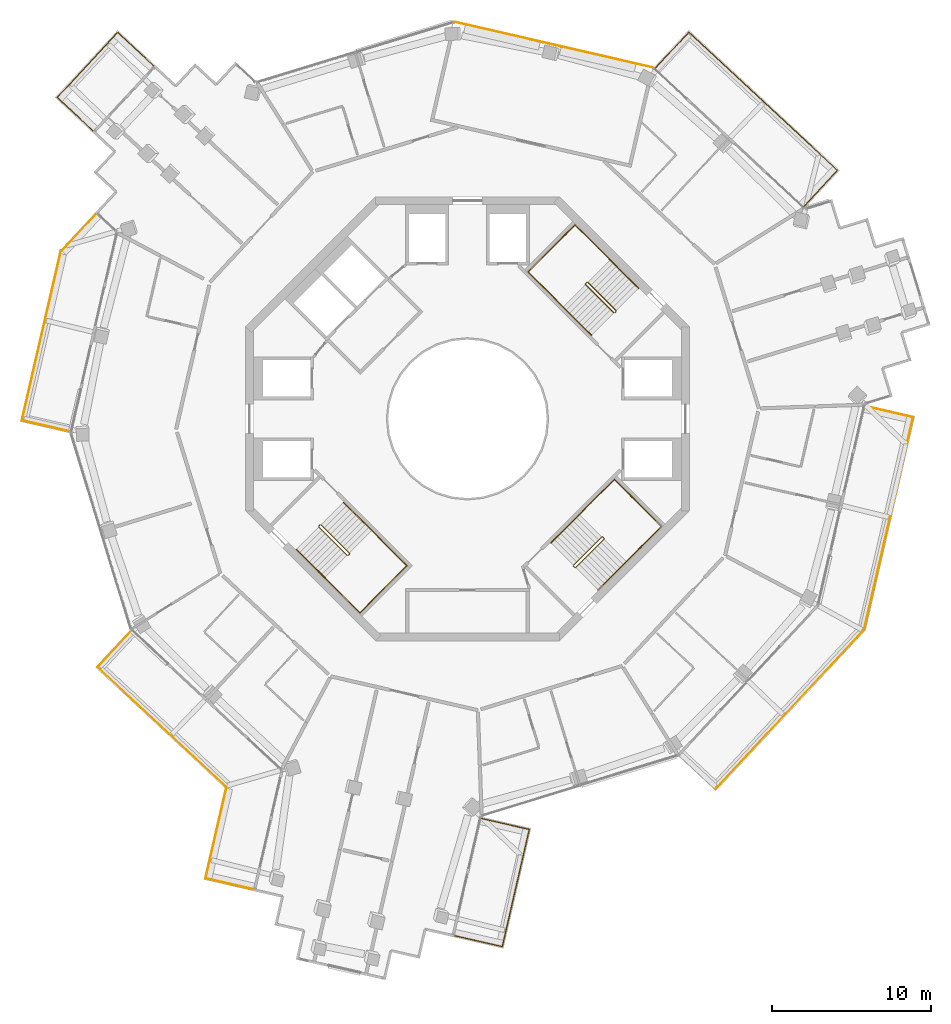
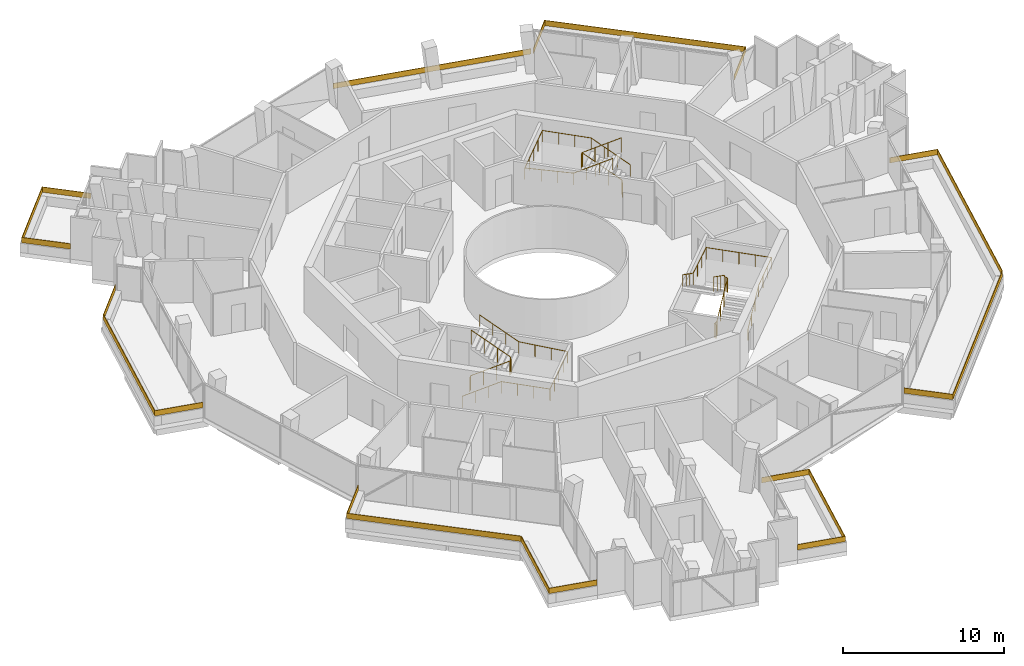
# One storey, part 21 of 21: 13 railings.
"""IFC4 building model written with IfcOpenShell, lengths in metres."""

from ifc_helpers import new_model, si_unit, direction, frame, origin, origin_2d, place, context, subcontext, project, spatial, polyline, rectangle, circle, outline, extrude, material, layer, layer_set, type_object, element, save


model = new_model("IFC4")

# Units and contexts
model_context = context("Model", 3, precision=1e-05, world=origin(), true_north=direction((0.0, 1.0)))
body_context = subcontext(model_context, "Body", "Model", "MODEL_VIEW")
ifc_project = project(units=[si_unit("LENGTHUNIT", "METRE"), si_unit("AREAUNIT", "SQUARE_METRE"), si_unit("VOLUMEUNIT", "CUBIC_METRE"), si_unit("PLANEANGLEUNIT", "RADIAN"), si_unit("MASSUNIT", "GRAM", prefix="KILO")], contexts=[model_context])

# Site, building, storey
site_placement = place(None, origin())
site = spatial("IfcSite", under=ifc_project, at=site_placement, CompositionType="ELEMENT")
building_placement = place(site_placement, origin())
building = spatial("IfcBuilding", under=site, at=building_placement, Name="Verdalira Terraces Hotel", CompositionType="ELEMENT")
storey_placement = place(building_placement, frame((0.0, 0.0, 227.0)))
storey = spatial("IfcBuildingStorey", under=building, at=storey_placement, Name="L55", CompositionType="ELEMENT", Elevation=227.0)

# Railings
ifc_material_1 = material(Name="Laminated glass", Category="glass")
ifc_layer = layer(ifc_material_1, 0.0400390625)
ifc_layer_set = layer_set([ifc_layer], Name="Balcony glass guard 400")
railing_type_1 = type_object("IfcRailingType", Name="Balcony glass guard 400", PredefinedType="GUARDRAIL", material=ifc_layer_set)
railing_1_placement = place(storey_placement, frame((0.0, 0.0, 0.699951)))
element("IfcRailing", 1, at=railing_1_placement, inside=storey, type_object=railing_type_1, Name="Balcony glass guard", PredefinedType="GUARDRAIL", context=body_context, shape_type="SweptSolid", body=[
    extrude(outline(polyline([(-22.052246, 24.333984), (-25.841309, 20.265137), (-23.588135, 18.166748), (-23.615234, 18.137451), (-25.897949, 20.262939), (-22.054199, 24.390625), (-19.771729, 22.264893), (-19.799072, 22.23584), (-22.052246, 24.333984)])), origin(), (0.0, 0.0, 1.0), 0.400146),
])
railing_2_placement = place(storey_placement, frame((0.0, 0.0, 0.699951)))
element("IfcRailing", 2, at=railing_2_placement, inside=storey, type_object=railing_type_1, Name="Balcony glass guard", PredefinedType="GUARDRAIL", context=body_context, shape_type="SweptSolid", body=[
    extrude(outline(polyline([(-25.634521, 10.509033), (-28.072754, -0.086182), (-25.072266, -0.776855), (-25.081299, -0.815918), (-28.12085, -0.116211), (-25.670898, 10.528564), (-23.429932, 12.935059), (-23.400635, 12.907715), (-25.634521, 10.509033)])), origin(), (0.0, 0.0, 1.0), 0.400146),
])
railing_3_placement = place(storey_placement, frame((0.0, 0.0, 0.699951)))
element("IfcRailing", 3, at=railing_3_placement, inside=storey, type_object=railing_type_1, Name="Balcony glass guard", PredefinedType="GUARDRAIL", context=body_context, shape_type="SweptSolid", body=[
    extrude(outline(polyline([(-23.299805, -15.65918), (-15.175293, -23.224854), (-16.495117, -28.960205), (-13.494629, -29.650635), (-13.503418, -29.689697), (-16.542969, -28.990234), (-15.219482, -23.238281), (-23.356445, -15.661133), (-21.230713, -13.378662), (-21.201416, -13.405762), (-23.299805, -15.65918)])), origin(), (0.0, 0.0, 1.0), 0.400146),
])
railing_4_placement = place(storey_placement, frame((0.0, 0.0, 0.699951)))
element("IfcRailing", 4, at=railing_4_placement, inside=storey, type_object=railing_type_1, Name="Balcony glass guard", PredefinedType="GUARDRAIL", context=body_context, shape_type="SweptSolid", body=[
    extrude(outline(polyline([(2.176758, -33.257324), (3.868652, -25.905762), (0.868164, -25.215332), (0.876953, -25.17627), (3.916504, -25.875732), (2.206787, -33.305176), (-0.832764, -32.605713), (-0.82373, -32.56665), (2.176758, -33.257324)])), origin(), (0.0, 0.0, 1.0), 0.400146),
])
railing_5_placement = place(storey_placement, frame((0.0, 0.0, 0.699951)))
element("IfcRailing", 5, at=railing_5_placement, inside=storey, type_object=railing_type_1, Name="Balcony glass guard", PredefinedType="GUARDRAIL", context=body_context, shape_type="SweptSolid", body=[
    extrude(outline(polyline([(15.65918, -23.299805), (24.999023, -13.269775), (28.072754, 0.086182), (25.072266, 0.776855), (25.081299, 0.815918), (28.12085, 0.116211), (25.035645, -13.289307), (15.661133, -23.356445), (13.378662, -21.230713), (13.405762, -21.201416), (15.65918, -23.299805)])), origin(), (0.0, 0.0, 1.0), 0.400146),
])
railing_6_placement = place(storey_placement, frame((0.0, 0.0, 0.699951)))
element("IfcRailing", 6, at=railing_6_placement, inside=storey, type_object=railing_type_1, Name="Balcony glass guard", PredefinedType="GUARDRAIL", context=body_context, shape_type="SweptSolid", body=[
    extrude(outline(polyline([(23.299805, 15.65918), (13.96167, 24.35498), (11.863281, 22.101562), (11.833984, 22.128906), (13.959717, 24.411377), (23.356445, 15.661133), (21.230713, 13.378662), (21.201416, 13.405762), (23.299805, 15.65918)])), origin(), (0.0, 0.0, 1.0), 0.400146),
])
railing_7_placement = place(storey_placement, frame((5.429199, 23.591553, 0.699951), z_axis=(0.0, 0.0, 1.0), x_axis=(-0.974526873, 0.224270761, 0.0)))
element("IfcRailing", 7, at=railing_7_placement, inside=storey, type_object=railing_type_1, Name="Loggia glass guard", PredefinedType="GUARDRAIL", context=body_context, shape_type="SweptSolid", body=[
    extrude(rectangle(XDim=12.840088, YDim=0.040039, at=origin_2d()), origin(), (0.0, 0.0, 1.0), 0.399902),
])
ifc_material_2 = material(Name="Stainless steel", Category="steel")
railing_type_2 = type_object("IfcRailingType", Name="Stair guard 1100", PredefinedType="GUARDRAIL", material=ifc_material_2)
railing_8_placement = place(storey_placement, frame((9.369141, 6.75293, 0.0)))
element("IfcRailing", 8, at=railing_8_placement, inside=storey, type_object=railing_type_2, Name="L55 ST1 stair guard 1", PredefinedType="GUARDRAIL", context=body_context, shape_type="SweptSolid", body=[
    extrude(circle(Radius=0.023926, at=origin_2d()), frame((0.0, 0.0, 1.076172), z_axis=(-0.707106781, -0.707106781, 0.0), x_axis=(0.707106781, -0.707106781, 0.0)), (0.0, 0.0, 1.0), 0.100098),
    extrude(circle(Radius=0.023926, at=origin_2d()), frame((-0.070801, -0.070801, 1.076172), z_axis=(0.300162975, 0.599290904, 0.742127078), x_axis=(-0.894118129, 0.447831187, 0.0)), (0.0, 0.0, 1.0), 0.23584),
    extrude(circle(Radius=0.023926, at=origin_2d()), frame((0.0, 0.070557, 1.250977), z_axis=(-0.599637504, 0.599637504, 0.52997144), x_axis=(-0.707106781, -0.707106781, 0.0)), (0.0, 0.0, 1.0), 2.97168),
    extrude(circle(Radius=0.023926, at=origin_2d()), frame((-1.781982, 1.852539, 2.826172), z_axis=(-1.0, 0.0, 0.0), x_axis=(0.0, -1.0, 0.0)), (0.0, 0.0, 1.0), 0.070557),
    extrude(circle(Radius=0.023926, at=origin_2d()), frame((-1.852539, 1.852539, 2.826172), z_axis=(-0.707106781, -0.707106781, 0.0), x_axis=(0.707106781, -0.707106781, 0.0)), (0.0, 0.0, 1.0), 0.100098),
    extrude(circle(Radius=0.023926, at=origin_2d()), frame((-1.92334, 1.781738, 2.826172), z_axis=(0.0, -0.373842709, 0.927492118), x_axis=(1.0, 0.0, 0.0)), (0.0, 0.0, 1.0), 0.188721),
    extrude(circle(Radius=0.023926, at=origin_2d()), frame((-1.92334, 1.711182, 3.000977), z_axis=(0.599637504, -0.599637504, 0.52997144), x_axis=(0.707106781, 0.707106781, 0.0)), (0.0, 0.0, 1.0), 2.97168),
    extrude(circle(Radius=0.020996, at=origin_2d()), origin(), (0.0, 0.0, 1.0), 1.052002),
    extrude(circle(Radius=0.020996, at=origin_2d()), frame((-0.070801, -0.070801, 0.0)), (0.0, 0.0, 1.0), 1.052002),
    extrude(circle(Radius=0.020996, at=origin_2d()), frame((0.0, 0.070557, 0.175049)), (0.0, 0.0, 1.0), 1.052002),
    extrude(circle(Radius=0.020996, at=origin_2d()), frame((-0.593994, 0.664551, 0.699951)), (0.0, 0.0, 1.0), 1.052002),
    extrude(circle(Radius=0.020996, at=origin_2d()), frame((-1.187988, 1.258545, 1.225098)), (0.0, 0.0, 1.0), 1.052002),
    extrude(circle(Radius=0.020996, at=origin_2d()), frame((-1.781982, 1.852539, 1.75)), (0.0, 0.0, 1.0), 1.052002),
    extrude(circle(Radius=0.020996, at=origin_2d()), frame((-1.852539, 1.852539, 1.75)), (0.0, 0.0, 1.0), 1.052002),
    extrude(circle(Radius=0.020996, at=origin_2d()), frame((-1.92334, 1.781738, 1.75)), (0.0, 0.0, 1.0), 1.052002),
    extrude(circle(Radius=0.020996, at=origin_2d()), frame((-1.92334, 1.711182, 1.925049)), (0.0, 0.0, 1.0), 1.052002),
    extrude(circle(Radius=0.020996, at=origin_2d()), frame((-1.329346, 1.117188, 2.449951)), (0.0, 0.0, 1.0), 1.052002),
    extrude(circle(Radius=0.020996, at=origin_2d()), frame((-0.735352, 0.523193, 2.975098)), (0.0, 0.0, 1.0), 1.052002),
    extrude(circle(Radius=0.020996, at=origin_2d()), frame((-0.141357, -0.070801, 3.5)), (0.0, 0.0, 1.0), 1.052002),
])
railing_9_placement = place(storey_placement, frame((-9.369141, -6.75293, 0.0)))
element("IfcRailing", 9, at=railing_9_placement, inside=storey, type_object=railing_type_2, Name="L55 ST2 stair guard 1", PredefinedType="GUARDRAIL", context=body_context, shape_type="SweptSolid", body=[
    extrude(circle(Radius=0.023926, at=origin_2d()), frame((0.0, 0.0, 1.076172), z_axis=(0.707106781, 0.707106781, 0.0), x_axis=(-0.707106781, 0.707106781, 0.0)), (0.0, 0.0, 1.0), 0.100098),
    extrude(circle(Radius=0.023926, at=origin_2d()), frame((0.070801, 0.070801, 1.076172), z_axis=(-0.300162975, -0.599290904, 0.742127078), x_axis=(0.894118129, -0.447831187, 0.0)), (0.0, 0.0, 1.0), 0.23584),
    extrude(circle(Radius=0.023926, at=origin_2d()), frame((0.0, -0.070557, 1.250977), z_axis=(0.599637504, -0.599637504, 0.52997144), x_axis=(0.707106781, 0.707106781, 0.0)), (0.0, 0.0, 1.0), 2.97168),
    extrude(circle(Radius=0.023926, at=origin_2d()), frame((1.781982, -1.852539, 2.826172), z_axis=(1.0, 0.0, 0.0), x_axis=(0.0, 1.0, 0.0)), (0.0, 0.0, 1.0), 0.070557),
    extrude(circle(Radius=0.023926, at=origin_2d()), frame((1.852539, -1.852539, 2.826172), z_axis=(0.707106781, 0.707106781, 0.0), x_axis=(-0.707106781, 0.707106781, 0.0)), (0.0, 0.0, 1.0), 0.100098),
    extrude(circle(Radius=0.023926, at=origin_2d()), frame((1.92334, -1.781738, 2.826172), z_axis=(0.0, 0.373842709, 0.927492118), x_axis=(-1.0, 0.0, 0.0)), (0.0, 0.0, 1.0), 0.188721),
    extrude(circle(Radius=0.023926, at=origin_2d()), frame((1.92334, -1.711182, 3.000977), z_axis=(-0.599637504, 0.599637504, 0.52997144), x_axis=(-0.707106781, -0.707106781, 0.0)), (0.0, 0.0, 1.0), 2.97168),
    extrude(circle(Radius=0.020996, at=origin_2d()), origin(), (0.0, 0.0, 1.0), 1.052002),
    extrude(circle(Radius=0.020996, at=origin_2d()), frame((0.070801, 0.070801, 0.0)), (0.0, 0.0, 1.0), 1.052002),
    extrude(circle(Radius=0.020996, at=origin_2d()), frame((0.0, -0.070557, 0.175049)), (0.0, 0.0, 1.0), 1.052002),
    extrude(circle(Radius=0.020996, at=origin_2d()), frame((0.593994, -0.664551, 0.699951)), (0.0, 0.0, 1.0), 1.052002),
    extrude(circle(Radius=0.020996, at=origin_2d()), frame((1.187988, -1.258545, 1.225098)), (0.0, 0.0, 1.0), 1.052002),
    extrude(circle(Radius=0.020996, at=origin_2d()), frame((1.781982, -1.852539, 1.75)), (0.0, 0.0, 1.0), 1.052002),
    extrude(circle(Radius=0.020996, at=origin_2d()), frame((1.852539, -1.852539, 1.75)), (0.0, 0.0, 1.0), 1.052002),
    extrude(circle(Radius=0.020996, at=origin_2d()), frame((1.92334, -1.781738, 1.75)), (0.0, 0.0, 1.0), 1.052002),
    extrude(circle(Radius=0.020996, at=origin_2d()), frame((1.92334, -1.711182, 1.925049)), (0.0, 0.0, 1.0), 1.052002),
    extrude(circle(Radius=0.020996, at=origin_2d()), frame((1.329346, -1.117188, 2.449951)), (0.0, 0.0, 1.0), 1.052002),
    extrude(circle(Radius=0.020996, at=origin_2d()), frame((0.735352, -0.523193, 2.975098)), (0.0, 0.0, 1.0), 1.052002),
    extrude(circle(Radius=0.020996, at=origin_2d()), frame((0.141357, 0.070801, 3.5)), (0.0, 0.0, 1.0), 1.052002),
])
railing_10_placement = place(storey_placement, frame((6.75293, -9.369141, 0.0)))
element("IfcRailing", 10, at=railing_10_placement, inside=storey, type_object=railing_type_2, Name="L55 ST3 stair guard 1", PredefinedType="GUARDRAIL", context=body_context, shape_type="SweptSolid", body=[
    extrude(circle(Radius=0.023926, at=origin_2d()), frame((0.0, 0.0, 1.076172), z_axis=(-0.707106781, 0.707106781, 0.0), x_axis=(-0.707106781, -0.707106781, 0.0)), (0.0, 0.0, 1.0), 0.100098),
    extrude(circle(Radius=0.023926, at=origin_2d()), frame((-0.070801, 0.070801, 1.076172), z_axis=(0.599290904, -0.300162975, 0.742127078), x_axis=(0.447831187, 0.894118129, 0.0)), (0.0, 0.0, 1.0), 0.23584),
    extrude(circle(Radius=0.023926, at=origin_2d()), frame((0.070557, 0.0, 1.250977), z_axis=(0.599637504, 0.599637504, 0.52997144), x_axis=(-0.707106781, 0.707106781, 0.0)), (0.0, 0.0, 1.0), 2.97168),
    extrude(circle(Radius=0.023926, at=origin_2d()), frame((1.852539, 1.781982, 2.826172), z_axis=(0.0, 1.0, 0.0), x_axis=(-1.0, 0.0, 0.0)), (0.0, 0.0, 1.0), 0.070557),
    extrude(circle(Radius=0.023926, at=origin_2d()), frame((1.852539, 1.852539, 2.826172), z_axis=(-0.707106781, 0.707106781, 0.0), x_axis=(-0.707106781, -0.707106781, 0.0)), (0.0, 0.0, 1.0), 0.100098),
    extrude(circle(Radius=0.023926, at=origin_2d()), frame((1.781738, 1.92334, 2.826172), z_axis=(-0.373842709, 0.0, 0.927492118), x_axis=(0.0, -1.0, 0.0)), (0.0, 0.0, 1.0), 0.188721),
    extrude(circle(Radius=0.023926, at=origin_2d()), frame((1.711182, 1.92334, 3.000977), z_axis=(-0.599637504, -0.599637504, 0.52997144), x_axis=(0.707106781, -0.707106781, 0.0)), (0.0, 0.0, 1.0), 2.97168),
    extrude(circle(Radius=0.020996, at=origin_2d()), origin(), (0.0, 0.0, 1.0), 1.052002),
    extrude(circle(Radius=0.020996, at=origin_2d()), frame((-0.070801, 0.070801, 0.0)), (0.0, 0.0, 1.0), 1.052002),
    extrude(circle(Radius=0.020996, at=origin_2d()), frame((0.070557, 0.0, 0.175049)), (0.0, 0.0, 1.0), 1.052002),
    extrude(circle(Radius=0.020996, at=origin_2d()), frame((0.664551, 0.593994, 0.699951)), (0.0, 0.0, 1.0), 1.052002),
    extrude(circle(Radius=0.020996, at=origin_2d()), frame((1.258545, 1.187988, 1.225098)), (0.0, 0.0, 1.0), 1.052002),
    extrude(circle(Radius=0.020996, at=origin_2d()), frame((1.852539, 1.781982, 1.75)), (0.0, 0.0, 1.0), 1.052002),
    extrude(circle(Radius=0.020996, at=origin_2d()), frame((1.852539, 1.852539, 1.75)), (0.0, 0.0, 1.0), 1.052002),
    extrude(circle(Radius=0.020996, at=origin_2d()), frame((1.781738, 1.92334, 1.75)), (0.0, 0.0, 1.0), 1.052002),
    extrude(circle(Radius=0.020996, at=origin_2d()), frame((1.711182, 1.92334, 1.925049)), (0.0, 0.0, 1.0), 1.052002),
    extrude(circle(Radius=0.020996, at=origin_2d()), frame((1.117188, 1.329346, 2.449951)), (0.0, 0.0, 1.0), 1.052002),
    extrude(circle(Radius=0.020996, at=origin_2d()), frame((0.523193, 0.735352, 2.975098)), (0.0, 0.0, 1.0), 1.052002),
    extrude(circle(Radius=0.020996, at=origin_2d()), frame((-0.070801, 0.141357, 3.5)), (0.0, 0.0, 1.0), 1.052002),
])
ifc_material_3 = material(Name="Stainless steel", Category="steel")
railing_type_3 = type_object("IfcRailingType", Name="Stair handrail 900", PredefinedType="HANDRAIL", material=ifc_material_3)
railing_11_placement = place(storey_placement, frame((10.783447, 8.237793, 0.175049)))
element("IfcRailing", 11, at=railing_11_placement, inside=storey, type_object=railing_type_3, Name="L55 ST1 stair handrail 1", PredefinedType="HANDRAIL", context=body_context, shape_type="SweptSolid", body=[
    extrude(circle(Radius=0.023926, at=origin_2d()), frame((0.0, 0.0, 0.875977), z_axis=(-0.599637504, 0.599637504, 0.52997144), x_axis=(-0.707106781, -0.707106781, 0.0)), (0.0, 0.0, 1.0), 2.97168),
    extrude(circle(Radius=0.023926, at=origin_2d()), frame((-1.781982, 1.781982, 2.450684), z_axis=(-0.707106781, 0.707106781, 0.0), x_axis=(-0.707106781, -0.707106781, 0.0)), (0.0, 0.0, 1.0), 3.129883),
    extrude(circle(Radius=0.023926, at=origin_2d()), frame((-3.995117, 3.995117, 2.450684), z_axis=(-0.707135845, -0.707077716, 0.0), x_axis=(0.707077716, -0.707135845, 0.0)), (0.0, 0.0, 1.0), 4.199951),
    extrude(circle(Radius=0.023926, at=origin_2d()), frame((-6.965088, 1.025391, 2.450684), z_axis=(0.706003682, -0.706003682, 0.0558355), x_axis=(0.707106781, 0.707106781, 0.0)), (0.0, 0.0, 1.0), 3.13501),
    extrude(circle(Radius=0.023926, at=origin_2d()), frame((-4.751709, -1.187988, 2.625977), z_axis=(0.599614426, -0.599614426, 0.530023659), x_axis=(0.707106781, 0.707106781, 0.0)), (0.0, 0.0, 1.0), 2.971436),
    extrude(circle(Radius=0.020996, at=origin_2d()), origin(), (0.0, 0.0, 1.0), 0.851807),
    extrude(circle(Radius=0.020996, at=origin_2d()), frame((-0.593994, 0.593994, 0.524902)), (0.0, 0.0, 1.0), 0.851807),
    extrude(circle(Radius=0.020996, at=origin_2d()), frame((-1.187988, 1.187988, 1.050049)), (0.0, 0.0, 1.0), 0.851807),
    extrude(circle(Radius=0.020996, at=origin_2d()), frame((-1.781982, 1.781982, 1.574951)), (0.0, 0.0, 1.0), 0.851807),
    extrude(circle(Radius=0.020996, at=origin_2d()), frame((-2.519775, 2.519775, 1.574951)), (0.0, 0.0, 1.0), 0.851807),
    extrude(circle(Radius=0.020996, at=origin_2d()), frame((-3.257324, 3.257324, 1.574951)), (0.0, 0.0, 1.0), 0.851807),
    extrude(circle(Radius=0.020996, at=origin_2d()), frame((-3.995117, 3.995117, 1.574951)), (0.0, 0.0, 1.0), 0.851807),
    extrude(circle(Radius=0.020996, at=origin_2d()), frame((-4.737549, 3.252686, 1.574951)), (0.0, 0.0, 1.0), 0.851807),
    extrude(circle(Radius=0.020996, at=origin_2d()), frame((-5.47998, 2.510254, 1.574951)), (0.0, 0.0, 1.0), 0.851807),
    extrude(circle(Radius=0.020996, at=origin_2d()), frame((-6.222656, 1.767822, 1.574951)), (0.0, 0.0, 1.0), 0.851807),
    extrude(circle(Radius=0.020996, at=origin_2d()), frame((-6.965088, 1.025391, 1.574951)), (0.0, 0.0, 1.0), 0.851807),
    extrude(circle(Radius=0.020996, at=origin_2d()), frame((-6.227295, 0.287598, 1.633301)), (0.0, 0.0, 1.0), 0.851807),
    extrude(circle(Radius=0.020996, at=origin_2d()), frame((-5.489502, -0.450195, 1.69165)), (0.0, 0.0, 1.0), 0.851807),
    extrude(circle(Radius=0.020996, at=origin_2d()), frame((-4.751709, -1.187988, 1.75)), (0.0, 0.0, 1.0), 0.851807),
    extrude(circle(Radius=0.020996, at=origin_2d()), frame((-4.157715, -1.781982, 2.274902)), (0.0, 0.0, 1.0), 0.851807),
    extrude(circle(Radius=0.020996, at=origin_2d()), frame((-3.563965, -2.375732, 2.800049)), (0.0, 0.0, 1.0), 0.851807),
    extrude(circle(Radius=0.020996, at=origin_2d()), frame((-2.969971, -2.969727, 3.324951)), (0.0, 0.0, 1.0), 0.851807),
])
railing_12_placement = place(storey_placement, frame((-10.783447, -8.237793, 0.175049)))
element("IfcRailing", 12, at=railing_12_placement, inside=storey, type_object=railing_type_3, Name="L55 ST2 stair handrail 1", PredefinedType="HANDRAIL", context=body_context, shape_type="SweptSolid", body=[
    extrude(circle(Radius=0.023926, at=origin_2d()), frame((0.0, 0.0, 0.875977), z_axis=(0.599637504, -0.599637504, 0.52997144), x_axis=(0.707106781, 0.707106781, 0.0)), (0.0, 0.0, 1.0), 2.97168),
    extrude(circle(Radius=0.023926, at=origin_2d()), frame((1.781982, -1.781982, 2.450684), z_axis=(0.707106781, -0.707106781, 0.0), x_axis=(0.707106781, 0.707106781, 0.0)), (0.0, 0.0, 1.0), 3.129883),
    extrude(circle(Radius=0.023926, at=origin_2d()), frame((3.995117, -3.995117, 2.450684), z_axis=(0.707135845, 0.707077716, 0.0), x_axis=(-0.707077716, 0.707135845, 0.0)), (0.0, 0.0, 1.0), 4.199951),
    extrude(circle(Radius=0.023926, at=origin_2d()), frame((6.965088, -1.025391, 2.450684), z_axis=(-0.706003682, 0.706003682, 0.0558355), x_axis=(-0.707106781, -0.707106781, 0.0)), (0.0, 0.0, 1.0), 3.13501),
    extrude(circle(Radius=0.023926, at=origin_2d()), frame((4.751709, 1.187988, 2.625977), z_axis=(-0.599614426, 0.599614426, 0.530023659), x_axis=(-0.707106781, -0.707106781, 0.0)), (0.0, 0.0, 1.0), 2.971436),
    extrude(circle(Radius=0.020996, at=origin_2d()), origin(), (0.0, 0.0, 1.0), 0.851807),
    extrude(circle(Radius=0.020996, at=origin_2d()), frame((0.593994, -0.593994, 0.524902)), (0.0, 0.0, 1.0), 0.851807),
    extrude(circle(Radius=0.020996, at=origin_2d()), frame((1.187988, -1.187988, 1.050049)), (0.0, 0.0, 1.0), 0.851807),
    extrude(circle(Radius=0.020996, at=origin_2d()), frame((1.781982, -1.781982, 1.574951)), (0.0, 0.0, 1.0), 0.851807),
    extrude(circle(Radius=0.020996, at=origin_2d()), frame((2.519775, -2.519775, 1.574951)), (0.0, 0.0, 1.0), 0.851807),
    extrude(circle(Radius=0.020996, at=origin_2d()), frame((3.257324, -3.257324, 1.574951)), (0.0, 0.0, 1.0), 0.851807),
    extrude(circle(Radius=0.020996, at=origin_2d()), frame((3.995117, -3.995117, 1.574951)), (0.0, 0.0, 1.0), 0.851807),
    extrude(circle(Radius=0.020996, at=origin_2d()), frame((4.737549, -3.252686, 1.574951)), (0.0, 0.0, 1.0), 0.851807),
    extrude(circle(Radius=0.020996, at=origin_2d()), frame((5.47998, -2.510254, 1.574951)), (0.0, 0.0, 1.0), 0.851807),
    extrude(circle(Radius=0.020996, at=origin_2d()), frame((6.222656, -1.767822, 1.574951)), (0.0, 0.0, 1.0), 0.851807),
    extrude(circle(Radius=0.020996, at=origin_2d()), frame((6.965088, -1.025391, 1.574951)), (0.0, 0.0, 1.0), 0.851807),
    extrude(circle(Radius=0.020996, at=origin_2d()), frame((6.227295, -0.287598, 1.633301)), (0.0, 0.0, 1.0), 0.851807),
    extrude(circle(Radius=0.020996, at=origin_2d()), frame((5.489502, 0.450195, 1.69165)), (0.0, 0.0, 1.0), 0.851807),
    extrude(circle(Radius=0.020996, at=origin_2d()), frame((4.751709, 1.187988, 1.75)), (0.0, 0.0, 1.0), 0.851807),
    extrude(circle(Radius=0.020996, at=origin_2d()), frame((4.157715, 1.781982, 2.274902)), (0.0, 0.0, 1.0), 0.851807),
    extrude(circle(Radius=0.020996, at=origin_2d()), frame((3.563965, 2.375732, 2.800049)), (0.0, 0.0, 1.0), 0.851807),
    extrude(circle(Radius=0.020996, at=origin_2d()), frame((2.969971, 2.969727, 3.324951)), (0.0, 0.0, 1.0), 0.851807),
])
railing_13_placement = place(storey_placement, frame((8.237793, -10.783447, 0.175049)))
element("IfcRailing", 13, at=railing_13_placement, inside=storey, type_object=railing_type_3, Name="L55 ST3 stair handrail 1", PredefinedType="HANDRAIL", context=body_context, shape_type="SweptSolid", body=[
    extrude(circle(Radius=0.023926, at=origin_2d()), frame((0.0, 0.0, 0.875977), z_axis=(0.599637504, 0.599637504, 0.52997144), x_axis=(-0.707106781, 0.707106781, 0.0)), (0.0, 0.0, 1.0), 2.97168),
    extrude(circle(Radius=0.023926, at=origin_2d()), frame((1.781982, 1.781982, 2.450684), z_axis=(0.707106781, 0.707106781, 0.0), x_axis=(-0.707106781, 0.707106781, 0.0)), (0.0, 0.0, 1.0), 3.129883),
    extrude(circle(Radius=0.023926, at=origin_2d()), frame((3.995117, 3.995117, 2.450684), z_axis=(-0.707077716, 0.707135845, 0.0), x_axis=(-0.707135845, -0.707077716, 0.0)), (0.0, 0.0, 1.0), 4.199951),
    extrude(circle(Radius=0.023926, at=origin_2d()), frame((1.025391, 6.965088, 2.450684), z_axis=(-0.706003682, -0.706003682, 0.0558355), x_axis=(0.707106781, -0.707106781, 0.0)), (0.0, 0.0, 1.0), 3.13501),
    extrude(circle(Radius=0.023926, at=origin_2d()), frame((-1.187988, 4.751709, 2.625977), z_axis=(-0.599614426, -0.599614426, 0.530023659), x_axis=(0.707106781, -0.707106781, 0.0)), (0.0, 0.0, 1.0), 2.971436),
    extrude(circle(Radius=0.020996, at=origin_2d()), origin(), (0.0, 0.0, 1.0), 0.851807),
    extrude(circle(Radius=0.020996, at=origin_2d()), frame((0.593994, 0.593994, 0.524902)), (0.0, 0.0, 1.0), 0.851807),
    extrude(circle(Radius=0.020996, at=origin_2d()), frame((1.187988, 1.187988, 1.050049)), (0.0, 0.0, 1.0), 0.851807),
    extrude(circle(Radius=0.020996, at=origin_2d()), frame((1.781982, 1.781982, 1.574951)), (0.0, 0.0, 1.0), 0.851807),
    extrude(circle(Radius=0.020996, at=origin_2d()), frame((2.519775, 2.519775, 1.574951)), (0.0, 0.0, 1.0), 0.851807),
    extrude(circle(Radius=0.020996, at=origin_2d()), frame((3.257324, 3.257324, 1.574951)), (0.0, 0.0, 1.0), 0.851807),
    extrude(circle(Radius=0.020996, at=origin_2d()), frame((3.995117, 3.995117, 1.574951)), (0.0, 0.0, 1.0), 0.851807),
    extrude(circle(Radius=0.020996, at=origin_2d()), frame((3.252686, 4.737549, 1.574951)), (0.0, 0.0, 1.0), 0.851807),
    extrude(circle(Radius=0.020996, at=origin_2d()), frame((2.510254, 5.47998, 1.574951)), (0.0, 0.0, 1.0), 0.851807),
    extrude(circle(Radius=0.020996, at=origin_2d()), frame((1.767822, 6.222656, 1.574951)), (0.0, 0.0, 1.0), 0.851807),
    extrude(circle(Radius=0.020996, at=origin_2d()), frame((1.025391, 6.965088, 1.574951)), (0.0, 0.0, 1.0), 0.851807),
    extrude(circle(Radius=0.020996, at=origin_2d()), frame((0.287598, 6.227295, 1.633301)), (0.0, 0.0, 1.0), 0.851807),
    extrude(circle(Radius=0.020996, at=origin_2d()), frame((-0.450195, 5.489502, 1.69165)), (0.0, 0.0, 1.0), 0.851807),
    extrude(circle(Radius=0.020996, at=origin_2d()), frame((-1.187988, 4.751709, 1.75)), (0.0, 0.0, 1.0), 0.851807),
    extrude(circle(Radius=0.020996, at=origin_2d()), frame((-1.781982, 4.157715, 2.274902)), (0.0, 0.0, 1.0), 0.851807),
    extrude(circle(Radius=0.020996, at=origin_2d()), frame((-2.375732, 3.563965, 2.800049)), (0.0, 0.0, 1.0), 0.851807),
    extrude(circle(Radius=0.020996, at=origin_2d()), frame((-2.969727, 2.969971, 3.324951)), (0.0, 0.0, 1.0), 0.851807),
])

save(model, "model.ifc")
